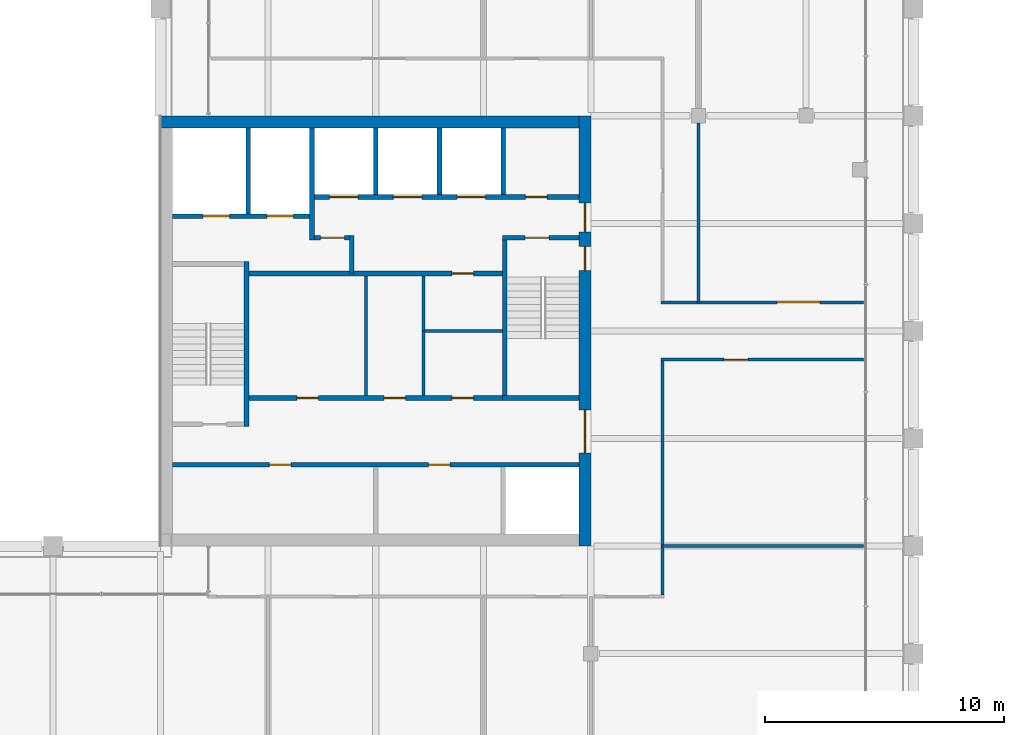
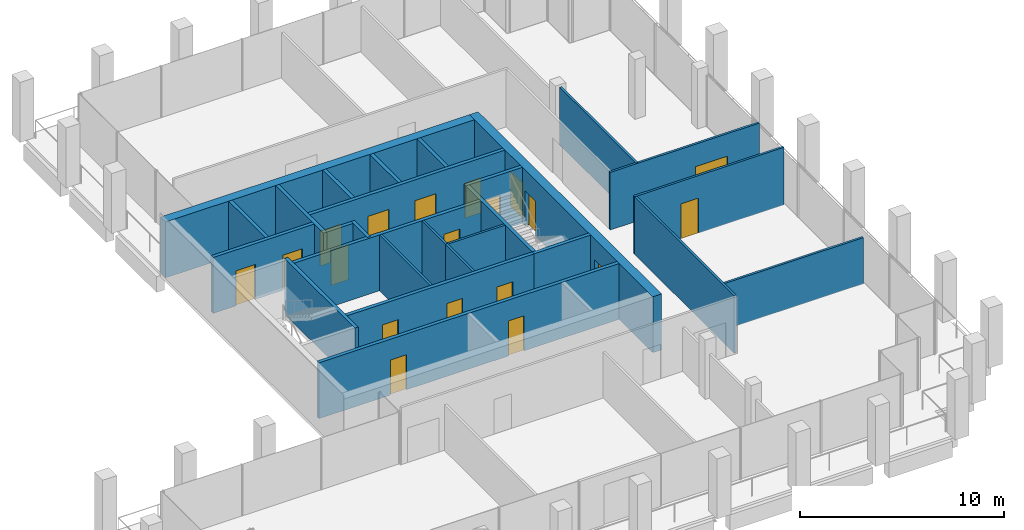
# One storey, part 36 of 40: 27 walls, 19 doors, 19 openings.
"""IFC4 building model written with IfcOpenShell, lengths in metres."""

import ifcopenshell
import ifcopenshell.guid

model = None  # the IFC model being written
_history = None  # IfcOwnerHistory: only IFC2X3 demands one
_inside = {}  # id of a spatial element -> (the spatial element, [elements in it])
_under = {}  # id of a project, library or spatial element -> (it, [spatial elements below it])
_declared = {}  # id of a project -> (the project, [libraries it declares])
_typed = {}  # id of a type object -> (the type object, [elements of that type])
_made_of = {}  # id of a material, layer set ... -> (it, [elements and type objects made of it])


def new_model(schema):
    """Start an empty IFC model of exactly this schema.

    Asked for "IFC4X3", IfcOpenShell would pick the latest addendum, in which some entities
    have other attributes; the version numbers below select the first issue.
    IFC2X3 requires an IfcOwnerHistory on every rooted entity: one is made here for all.
    """
    global model, _history
    if schema == "IFC4X3":
        model = ifcopenshell.file(schema_version=(4, 3, 0, 0))
    else:
        model = ifcopenshell.file(schema=schema)
    _inside.clear()
    _under.clear()
    _declared.clear()
    _typed.clear()
    _made_of.clear()
    _history = None
    if model.schema == "IFC2X3":
        org = make("IfcOrganization", Name="unknown")
        user = make(
            "IfcPersonAndOrganization",
            ThePerson=make("IfcPerson", FamilyName="unknown"),
            TheOrganization=org,
        )
        app = make(
            "IfcApplication",
            ApplicationDeveloper=org,
            Version="unknown",
            ApplicationFullName="unknown",
            ApplicationIdentifier="unknown",
        )
        _history = make(
            "IfcOwnerHistory",
            OwningUser=user,
            OwningApplication=app,
            ChangeAction="ADDED",
            CreationDate=0,
        )
    return model


def make(cls, **values):
    """One entity of the class cls with the attributes given. An attribute that is None is left unset."""
    return model.create_entity(
        cls, **{name: value for name, value in values.items() if value is not None}
    )


def rooted(cls, **values):
    """An entity with a GlobalId (a new one), such as an element, a storey or a relation."""
    return make(cls, GlobalId=ifcopenshell.guid.new(), OwnerHistory=_history, **values)


def si_unit(unit_type, name, prefix=None):
    """IfcSIUnit, for example si_unit("LENGTHUNIT", "METRE", prefix="MILLI")."""
    return make("IfcSIUnit", UnitType=unit_type, Prefix=prefix, Name=name)


def assignment(units):
    """IfcUnitAssignment: the units of a project."""
    return None if units is None else make("IfcUnitAssignment", Units=units)


def point(xyz):
    """IfcCartesianPoint."""
    return None if xyz is None else make("IfcCartesianPoint", Coordinates=xyz)


def direction(xyz):
    """IfcDirection."""
    return None if xyz is None else make("IfcDirection", DirectionRatios=xyz)


def frame(location, z_axis=None, x_axis=None):
    """IfcAxis2Placement3D, a coordinate frame: its origin and axes. An axis left out is left unset."""
    return make(
        "IfcAxis2Placement3D",
        Location=point(location),
        Axis=direction(z_axis),
        RefDirection=direction(x_axis),
    )


def frame_2d(location, x_axis=None):
    """IfcAxis2Placement2D, a coordinate frame in the plane: its origin and x axis."""
    return make(
        "IfcAxis2Placement2D", Location=point(location), RefDirection=direction(x_axis)
    )


def origin():
    """The frame at (0, 0, 0) with its axes left unset."""
    return frame((0.0, 0.0, 0.0))


def place(relative_to, where):
    """IfcLocalPlacement: puts the frame where relative to a parent placement (None: the world)."""
    return make(
        "IfcLocalPlacement", PlacementRelTo=relative_to, RelativePlacement=where
    )


def context(
    kind, dimensions, precision=None, world=None, true_north=None, identifier=None
):
    """IfcGeometricRepresentationContext, for example the 3D "Model" context."""
    return make(
        "IfcGeometricRepresentationContext",
        ContextIdentifier=identifier,
        ContextType=kind,
        CoordinateSpaceDimension=dimensions,
        Precision=precision,
        WorldCoordinateSystem=world,
        TrueNorth=true_north,
    )


def subcontext(parent, identifier, kind, view, scale=None):
    """IfcGeometricRepresentationSubContext, for example "Body" below "Model"."""
    return make(
        "IfcGeometricRepresentationSubContext",
        ContextIdentifier=identifier,
        ContextType=kind,
        ParentContext=parent,
        TargetScale=scale,
        TargetView=view,
    )


def project(units=None, contexts=None):
    """IfcProject with its units and contexts."""
    return rooted(
        "IfcProject",
        Name="project",
        RepresentationContexts=contexts,
        UnitsInContext=assignment(units),
    )


def spatial(cls, under=None, at=None, **own):
    """A site, building, storey or space (cls), placed at a placement, below another one or the project."""
    s = rooted(cls, ObjectPlacement=at, **own)
    if under is not None:
        _under.setdefault(under.id(), (under, []))[1].append(s)
    return s


def profile(cls, at=None, kind="AREA", **sizes):
    """A parametric profile (cls). Its sizes go by their IFC names, for example OverallWidth=200.0."""
    return make(cls, ProfileType=kind, Position=at, **sizes)


def rectangle(**sizes):
    """IfcRectangleProfileDef."""
    return profile("IfcRectangleProfileDef", **sizes)


def extrude(swept, where, along, depth):
    """IfcExtrudedAreaSolid: the profile swept, set in the frame where, extruded along a direction by depth."""
    return make(
        "IfcExtrudedAreaSolid",
        SweptArea=swept,
        Position=where,
        ExtrudedDirection=direction(along),
        Depth=depth,
    )


def shape(context_of_items, identifier, shape_type, items):
    """IfcShapeRepresentation: the items that make up one representation, for example the "Body"."""
    return make(
        "IfcShapeRepresentation",
        ContextOfItems=context_of_items,
        RepresentationIdentifier=identifier,
        RepresentationType=shape_type,
        Items=items,
    )


def material(Name=None, Category=None):
    """IfcMaterial."""
    return make("IfcMaterial", Name=Name, Category=Category)


def layer(
    of_material, thickness, ventilated=None, Name=None, Category=None, Priority=None
):
    """IfcMaterialLayer: one layer of a wall or slab, of a material (None: an air gap)."""
    return make(
        "IfcMaterialLayer",
        Material=of_material,
        LayerThickness=thickness,
        IsVentilated=ventilated,
        Name=Name,
        Category=Category,
        Priority=Priority,
    )


def layer_set(layers, Name=None):
    """IfcMaterialLayerSet."""
    return make("IfcMaterialLayerSet", MaterialLayers=layers, LayerSetName=Name)


def made_of(thing, what):
    """Note that an element or type object is made of a material, layer set ...; save() writes the relation."""
    if what is not None:
        _made_of.setdefault(what.id(), (what, []))[1].append(thing)
    return thing


def type_object(cls, material=None, **own):
    """A type object (cls), such as IfcWallType, which elements share."""
    return made_of(rooted(cls, **own), material)


def element(
    cls,
    number,
    at=None,
    inside=None,
    cuts=None,
    type_object=None,
    material=None,
    context=None,
    identifier="Body",
    shape_type=None,
    held_by="IfcProductDefinitionShape",
    body=None,
    shapes=None,
    **own,
):
    """One element of the class cls, such as IfcWall. Its Tag is "e" and its number.

    at: its placement. inside: the storey or other place that contains it. cuts: it is an
    opening in that element (IfcRelVoidsElement). A single representation is given by context,
    identifier, shape_type and body (its items); several are given by shapes. held_by: the class
    of the entity that holds the representations. save() writes the other relations.
    """
    e = rooted(cls, Tag="e%d" % number, ObjectPlacement=at, **own)
    if body is not None:
        shapes = [shape(context, identifier, shape_type, body)]
    if shapes is not None:
        e.Representation = make(held_by, Representations=shapes)
    if inside is not None:
        _inside.setdefault(inside.id(), (inside, []))[1].append(e)
    if cuts is not None:
        rooted(
            "IfcRelVoidsElement", RelatingBuildingElement=cuts, RelatedOpeningElement=e
        )
    if type_object is not None:
        _typed.setdefault(type_object.id(), (type_object, []))[1].append(e)
    return made_of(e, material)


def fill(opening, filler):
    """IfcRelFillsElement: the door or window that sits in an opening."""
    return rooted(
        "IfcRelFillsElement",
        RelatingOpeningElement=opening,
        RelatedBuildingElement=filler,
    )


def aggregate(whole, parts):
    """IfcRelAggregates: a whole, such as a stair, and the parts it consists of."""
    return rooted("IfcRelAggregates", RelatingObject=whole, RelatedObjects=parts)


def save(model, path):
    """Write the relations noted so far, then the file.

    IfcRelAggregates (storeys below a building ...), IfcRelContainedInSpatialStructure (elements
    in a storey), IfcRelDefinesByType, IfcRelAssociatesMaterial and IfcRelDeclares: one each for
    every whole, place, type object, material and project.
    """
    for whole, parts in _under.values():
        aggregate(whole, parts)
    for where, things in _inside.values():
        rooted(
            "IfcRelContainedInSpatialStructure",
            RelatedElements=things,
            RelatingStructure=where,
        )
    for kind, things in _typed.values():
        rooted("IfcRelDefinesByType", RelatedObjects=things, RelatingType=kind)
    for what, things in _made_of.values():
        rooted("IfcRelAssociatesMaterial", RelatedObjects=things, RelatingMaterial=what)
    for by, libraries in _declared.values():
        rooted("IfcRelDeclares", RelatingContext=by, RelatedDefinitions=libraries)
    model.write(path)


model = new_model("IFC4")

# Units and contexts
model_context = context("Model", 3, precision=1e-05, world=origin(), true_north=direction((0.0, 1.0)))
body_context = subcontext(model_context, "Body", "Model", "MODEL_VIEW")
ifc_project = project(units=[si_unit("LENGTHUNIT", "METRE"), si_unit("AREAUNIT", "SQUARE_METRE"), si_unit("VOLUMEUNIT", "CUBIC_METRE"), si_unit("PLANEANGLEUNIT", "RADIAN"), si_unit("MASSUNIT", "GRAM", prefix="KILO")], contexts=[model_context])

# Site, building, storey
site_placement = place(None, origin())
site = spatial("IfcSite", under=ifc_project, at=site_placement, CompositionType="ELEMENT")
building_placement = place(site_placement, origin())
building = spatial("IfcBuilding", under=site, at=building_placement, Name="Altepetl Exchange Towers", CompositionType="ELEMENT")
storey_placement = place(building_placement, frame((0.0, 0.0, 195.60009765625)))
storey = spatial("IfcBuildingStorey", under=building, at=storey_placement, Name="L49", CompositionType="ELEMENT", Elevation=195.60009765625)

# Wall, openings, doors
ifc_material_1 = material(Name="Concrete C70/85", Category="concrete")
ifc_layer_1 = layer(ifc_material_1, 0.5)
ifc_layer_set_1 = layer_set([ifc_layer_1], Name="Concrete C70/85")
wall_type_1 = type_object("IfcWallType", Name="Core wall 500 reinforced concrete", PredefinedType="SHEAR", material=ifc_layer_set_1)
wall_1_placement = place(storey_placement, frame((58.25, 40.5, 0.0), z_axis=(0.0, 0.0, 1.0), x_axis=(0.0, 1.0, 0.0)))
wall_1 = element("IfcWall", 1, at=wall_1_placement, inside=storey, type_object=wall_type_1, Name="wall:A:L49:K-coreE", PredefinedType="SHEAR", context=body_context, shape_type="SweptSolid", body=[
    extrude(rectangle(XDim=18.0, YDim=0.5, at=frame_2d((9.0, 0.0))), origin(), (0.0, 0.0, 1.0), 3.349853515625),
])
opening_1_placement = place(wall_1_placement, frame((13.14990234375, 0.0, 0.0)))
opening_1 = element("IfcOpeningElement", 2, at=opening_1_placement, cuts=wall_1, Name="Opening L49.A60", PredefinedType="OPENING", context=body_context, shape_type="SweptSolid", body=[
    extrude(rectangle(XDim=1.199951171875, YDim=2.10009765625, at=frame_2d((0.60009765625, 1.050048828125))), frame((0.0, 0.260009765625, 0.0), z_axis=(0.0, -1.0, 0.0), x_axis=(1.0, 0.0, 0.0)), (0.0, 0.0, 1.0), 0.52001953125),
])
opening_2_placement = place(wall_1_placement, frame((3.89990234375, 0.0, 0.0)))
opening_2 = element("IfcOpeningElement", 3, at=opening_2_placement, cuts=wall_1, Name="Opening L49.A61", PredefinedType="OPENING", context=body_context, shape_type="SweptSolid", body=[
    extrude(rectangle(XDim=1.800048828125, YDim=2.10009765625, at=frame_2d((0.89990234375, 1.050048828125))), frame((0.0, 0.260009765625, 0.0), z_axis=(0.0, -1.0, 0.0), x_axis=(1.0, 0.0, 0.0)), (0.0, 0.0, 1.0), 0.52001953125),
])
opening_3_placement = place(wall_1_placement, frame((11.52490234375, 0.0, 0.0)))
opening_3 = element("IfcOpeningElement", 4, at=opening_3_placement, cuts=wall_1, Name="Opening L49.A64", PredefinedType="OPENING", context=body_context, shape_type="SweptSolid", body=[
    extrude(rectangle(XDim=1.0, YDim=2.10009765625, at=frame_2d((0.5, 1.050048828125))), frame((0.0, 0.260009765625, 0.0), z_axis=(0.0, -1.0, 0.0), x_axis=(1.0, 0.0, 0.0)), (0.0, 0.0, 1.0), 0.52001953125),
])
ifc_material_2 = material(Name="Steel and timber fire door", Category="steel")
door_type_1 = type_object("IfcDoorType", Name="Fire door 1000 x 2100 stair and lobby", OperationType="SINGLE_SWING_LEFT", PredefinedType="DOOR", material=ifc_material_2)
door_1_placement = place(opening_3_placement, origin())
door_1 = element("IfcDoor", 5, at=door_1_placement, inside=storey, type_object=door_type_1, Name="door:A:L49:K-dS2x", OperationType="SINGLE_SWING_RIGHT", OverallHeight=2.10009765625, OverallWidth=1.0, PredefinedType="DOOR", context=body_context, shape_type="SweptSolid", body=[
    extrude(rectangle(XDim=1.0, YDim=2.10009765625, at=frame_2d((0.5, 1.050048828125))), frame((0.0, 0.02490234375, 0.0), z_axis=(0.0, -1.0, 0.0), x_axis=(1.0, 0.0, 0.0)), (0.0, 0.0, 1.0), 0.050048828125),
])
fill(opening_3, door_1)
door_type_2 = type_object("IfcDoorType", Name="Fire door 1200 x 2100 lobby entry", OperationType="SINGLE_SWING_LEFT", PredefinedType="DOOR", material=ifc_material_2)
door_2_placement = place(opening_1_placement, origin())
door_2 = element("IfcDoor", 6, at=door_2_placement, inside=storey, type_object=door_type_2, Name="door:A:L49:K-dLNE", OperationType="SINGLE_SWING_RIGHT", OverallHeight=2.10009765625, OverallWidth=1.199951171875, PredefinedType="DOOR", context=body_context, shape_type="SweptSolid", body=[
    extrude(rectangle(XDim=1.199951171875, YDim=2.10009765625, at=frame_2d((0.60009765625, 1.050048828125))), frame((0.0, 0.02490234375, 0.0), z_axis=(0.0, -1.0, 0.0), x_axis=(1.0, 0.0, 0.0)), (0.0, 0.0, 1.0), 0.050048828125),
])
fill(opening_1, door_2)
door_type_3 = type_object("IfcDoorType", Name="Fire door 1800 x 2100 lobby entry", OperationType="DOUBLE_DOOR_SINGLE_SWING", PredefinedType="DOOR", material=ifc_material_2)
door_3_placement = place(opening_2_placement, origin())
door_3 = element("IfcDoor", 7, at=door_3_placement, inside=storey, type_object=door_type_3, Name="door:A:L49:K-dLSE", OperationType="DOUBLE_DOOR_SINGLE_SWING", OverallHeight=2.10009765625, OverallWidth=1.800048828125, PredefinedType="DOOR", context=body_context, shape_type="SweptSolid", body=[
    extrude(rectangle(XDim=1.800048828125, YDim=2.10009765625, at=frame_2d((0.89990234375, 1.050048828125))), frame((0.0, 0.02490234375, 0.0), z_axis=(0.0, -1.0, 0.0), x_axis=(1.0, 0.0, 0.0)), (0.0, 0.0, 1.0), 0.050048828125),
])
fill(opening_2, door_3)

# Walls
wall_2_placement = place(storey_placement, frame((40.5, 58.25, 0.0)))
element("IfcWall", 8, at=wall_2_placement, inside=storey, type_object=wall_type_1, Name="wall:A:L49:K-coreN", PredefinedType="SHEAR", context=body_context, shape_type="SweptSolid", body=[
    extrude(rectangle(XDim=17.5, YDim=0.5, at=frame_2d((8.75, 0.0))), origin(), (0.0, 0.0, 1.0), 3.349853515625),
])
ifc_material_3 = material(Name="Concrete blockwork", Category="masonry")
ifc_layer_2 = layer(ifc_material_3, 0.199951171875)
ifc_layer_set_2 = layer_set([ifc_layer_2], Name="Concrete blockwork")
wall_type_2 = type_object("IfcWallType", Name="Lobby wall 200 blockwork", PredefinedType="PARTITIONING", material=ifc_layer_set_2)
wall_3_placement = place(storey_placement, frame((48.5, 51.89990234375, 0.0), z_axis=(0.0, 0.0, 1.0), x_axis=(0.0, 1.0, 0.0)))
element("IfcWall", 9, at=wall_3_placement, inside=storey, type_object=wall_type_2, Name="wall:A:L49:K-ffE", PredefinedType="PARTITIONING", context=body_context, shape_type="SweptSolid", body=[
    extrude(rectangle(XDim=1.60009765625, YDim=0.199951171875, at=frame_2d((0.800048828125, 0.0))), origin(), (0.0, 0.0, 1.0), 3.349853515625),
])

# Wall, opening, door
wall_4_placement = place(storey_placement, frame((46.933349609375, 53.39990234375, 0.0)))
wall_4 = element("IfcWall", 10, at=wall_4_placement, inside=storey, type_object=wall_type_2, Name="wall:A:L49:K-ffN", PredefinedType="PARTITIONING", context=body_context, shape_type="SweptSolid", body=[
    extrude(rectangle(XDim=1.466552734375, YDim=0.199951171875, at=frame_2d((0.7333984375, 0.0))), origin(), (0.0, 0.0, 1.0), 3.349853515625),
])
opening_4_placement = place(wall_4_placement, frame((0.2666015625, 0.0, 0.0)))
opening_4 = element("IfcOpeningElement", 11, at=opening_4_placement, cuts=wall_4, Name="Opening L49.A65", PredefinedType="OPENING", context=body_context, shape_type="SweptSolid", body=[
    extrude(rectangle(XDim=1.0, YDim=2.10009765625, at=frame_2d((0.5, 1.050048828125))), frame((0.0, 0.10986328125, 0.0), z_axis=(0.0, -1.0, 0.0), x_axis=(1.0, 0.0, 0.0)), (0.0, 0.0, 1.0), 0.219970703125),
])
door_4_placement = place(opening_4_placement, frame((1.0, 0.0, 0.0), x_axis=(-1.0, 0.0, 0.0)))
door_4 = element("IfcDoor", 12, at=door_4_placement, inside=storey, type_object=door_type_1, Name="door:A:L49:K-dffN", OperationType="SINGLE_SWING_RIGHT", OverallHeight=2.10009765625, OverallWidth=1.0, PredefinedType="DOOR", context=body_context, shape_type="SweptSolid", body=[
    extrude(rectangle(XDim=1.0, YDim=2.10009765625, at=frame_2d((0.5, 1.050048828125))), frame((0.0, 0.02490234375, 0.0), z_axis=(0.0, -1.0, 0.0), x_axis=(1.0, 0.0, 0.0)), (0.0, 0.0, 1.0), 0.050048828125),
])
fill(opening_4, door_4)

wall_5_placement = place(storey_placement, frame((44.199951171875, 51.89990234375, 0.0)))
wall_5 = element("IfcWall", 13, at=wall_5_placement, inside=storey, type_object=wall_type_2, Name="wall:A:L49:K-zoneN", PredefinedType="PARTITIONING", context=body_context, shape_type="SweptSolid", body=[
    extrude(rectangle(XDim=10.60009765625, YDim=0.199951171875, at=frame_2d((5.300048828125, 0.0))), origin(), (0.0, 0.0, 1.0), 3.349853515625),
])
opening_5_placement = place(wall_5_placement, frame((8.5, 0.0, 0.0)))
opening_5 = element("IfcOpeningElement", 14, at=opening_5_placement, cuts=wall_5, Name="Opening L49.A71", PredefinedType="OPENING", context=body_context, shape_type="SweptSolid", body=[
    extrude(rectangle(XDim=0.89990234375, YDim=2.10009765625, at=frame_2d((0.449951171875, 1.050048828125))), frame((0.0, 0.10986328125, 0.0), z_axis=(0.0, -1.0, 0.0), x_axis=(1.0, 0.0, 0.0)), (0.0, 0.0, 1.0), 0.219970703125),
])
door_type_4 = type_object("IfcDoorType", Name="Fire door 900 x 2100 service room", OperationType="SINGLE_SWING_LEFT", PredefinedType="DOOR", material=ifc_material_2)
door_5_placement = place(opening_5_placement, frame((0.89990234375, 0.0, 0.0), x_axis=(-1.0, 0.0, 0.0)))
door_5 = element("IfcDoor", 15, at=door_5_placement, inside=storey, type_object=door_type_4, Name="door:A:L49:K-dz3", OperationType="SINGLE_SWING_LEFT", OverallHeight=2.10009765625, OverallWidth=0.89990234375, PredefinedType="DOOR", context=body_context, shape_type="SweptSolid", body=[
    extrude(rectangle(XDim=0.89990234375, YDim=2.10009765625, at=frame_2d((0.449951171875, 1.050048828125))), frame((0.0, 0.02490234375, 0.0), z_axis=(0.0, -1.0, 0.0), x_axis=(1.0, 0.0, 0.0)), (0.0, 0.0, 1.0), 0.050048828125),
])
fill(opening_5, door_5)

# Wall, openings, doors
wall_6_placement = place(storey_placement, frame((44.199951171875, 46.699951171875, 0.0)))
wall_6 = element("IfcWall", 16, at=wall_6_placement, inside=storey, type_object=wall_type_2, Name="wall:A:L49:K-zoneS", PredefinedType="PARTITIONING", context=body_context, shape_type="SweptSolid", body=[
    extrude(rectangle(XDim=10.60009765625, YDim=0.199951171875, at=frame_2d((5.300048828125, 0.0))), origin(), (0.0, 0.0, 1.0), 3.349853515625),
])
opening_6_placement = place(wall_6_placement, frame((2.0, 0.0, 0.0)))
opening_6 = element("IfcOpeningElement", 17, at=opening_6_placement, cuts=wall_6, Name="Opening L49.A69", PredefinedType="OPENING", context=body_context, shape_type="SweptSolid", body=[
    extrude(rectangle(XDim=0.89990234375, YDim=2.10009765625, at=frame_2d((0.449951171875, 1.050048828125))), frame((0.0, 0.10986328125, 0.0), z_axis=(0.0, -1.0, 0.0), x_axis=(1.0, 0.0, 0.0)), (0.0, 0.0, 1.0), 0.219970703125),
])
opening_7_placement = place(wall_6_placement, frame((5.64990234375, 0.0, 0.0)))
opening_7 = element("IfcOpeningElement", 18, at=opening_7_placement, cuts=wall_6, Name="Opening L49.A70", PredefinedType="OPENING", context=body_context, shape_type="SweptSolid", body=[
    extrude(rectangle(XDim=0.89990234375, YDim=2.10009765625, at=frame_2d((0.449951171875, 1.050048828125))), frame((0.0, 0.10986328125, 0.0), z_axis=(0.0, -1.0, 0.0), x_axis=(1.0, 0.0, 0.0)), (0.0, 0.0, 1.0), 0.219970703125),
])
opening_8_placement = place(wall_6_placement, frame((8.5, 0.0, 0.0)))
opening_8 = element("IfcOpeningElement", 19, at=opening_8_placement, cuts=wall_6, Name="Opening L49.A72", PredefinedType="OPENING", context=body_context, shape_type="SweptSolid", body=[
    extrude(rectangle(XDim=0.89990234375, YDim=2.10009765625, at=frame_2d((0.449951171875, 1.050048828125))), frame((0.0, 0.10986328125, 0.0), z_axis=(0.0, -1.0, 0.0), x_axis=(1.0, 0.0, 0.0)), (0.0, 0.0, 1.0), 0.219970703125),
])
door_6_placement = place(opening_6_placement, origin())
door_6 = element("IfcDoor", 20, at=door_6_placement, inside=storey, type_object=door_type_4, Name="door:A:L49:K-dz1", OperationType="SINGLE_SWING_LEFT", OverallHeight=2.10009765625, OverallWidth=0.89990234375, PredefinedType="DOOR", context=body_context, shape_type="SweptSolid", body=[
    extrude(rectangle(XDim=0.89990234375, YDim=2.10009765625, at=frame_2d((0.449951171875, 1.050048828125))), frame((0.0, 0.02490234375, 0.0), z_axis=(0.0, -1.0, 0.0), x_axis=(1.0, 0.0, 0.0)), (0.0, 0.0, 1.0), 0.050048828125),
])
fill(opening_6, door_6)
door_7_placement = place(opening_7_placement, origin())
door_7 = element("IfcDoor", 21, at=door_7_placement, inside=storey, type_object=door_type_4, Name="door:A:L49:K-dz2", OperationType="SINGLE_SWING_RIGHT", OverallHeight=2.10009765625, OverallWidth=0.89990234375, PredefinedType="DOOR", context=body_context, shape_type="SweptSolid", body=[
    extrude(rectangle(XDim=0.89990234375, YDim=2.10009765625, at=frame_2d((0.449951171875, 1.050048828125))), frame((0.0, 0.02490234375, 0.0), z_axis=(0.0, -1.0, 0.0), x_axis=(1.0, 0.0, 0.0)), (0.0, 0.0, 1.0), 0.050048828125),
])
fill(opening_7, door_7)
door_8_placement = place(opening_8_placement, origin())
door_8 = element("IfcDoor", 22, at=door_8_placement, inside=storey, type_object=door_type_4, Name="door:A:L49:K-dz4", OperationType="SINGLE_SWING_RIGHT", OverallHeight=2.10009765625, OverallWidth=0.89990234375, PredefinedType="DOOR", context=body_context, shape_type="SweptSolid", body=[
    extrude(rectangle(XDim=0.89990234375, YDim=2.10009765625, at=frame_2d((0.449951171875, 1.050048828125))), frame((0.0, 0.02490234375, 0.0), z_axis=(0.0, -1.0, 0.0), x_axis=(1.0, 0.0, 0.0)), (0.0, 0.0, 1.0), 0.050048828125),
])
fill(opening_8, door_8)

# Walls
ifc_material_4 = material(Name="Gypsum board on steel studs", Category="steel")
ifc_layer_3 = layer(ifc_material_4, 0.125)
ifc_layer_set_3 = layer_set([ifc_layer_3], Name="Gypsum board on steel studs")
wall_type_3 = type_object("IfcWallType", Name="Partition 125 gypsum board on steel studs", PredefinedType="PARTITIONING", material=ifc_layer_set_3)
wall_7_placement = place(storey_placement, frame((49.10009765625, 46.800048828125, 0.0), z_axis=(0.0, 0.0, 1.0), x_axis=(0.0, 1.0, 0.0)))
element("IfcWall", 23, at=wall_7_placement, inside=storey, type_object=wall_type_3, Name="wall:A:L49:K-zp1", PredefinedType="PARTITIONING", context=body_context, shape_type="SweptSolid", body=[
    extrude(rectangle(XDim=5.0, YDim=0.125, at=frame_2d((2.5, 0.0))), origin(), (0.0, 0.0, 1.0), 3.349853515625),
])
wall_8_placement = place(storey_placement, frame((51.5, 46.800048828125, 0.0), z_axis=(0.0, 0.0, 1.0), x_axis=(0.0, 1.0, 0.0)))
element("IfcWall", 24, at=wall_8_placement, inside=storey, type_object=wall_type_3, Name="wall:A:L49:K-zp2", PredefinedType="PARTITIONING", context=body_context, shape_type="SweptSolid", body=[
    extrude(rectangle(XDim=2.762451171875, YDim=0.125, at=frame_2d((1.38134765625, 0.0))), origin(), (0.0, 0.0, 1.0), 3.349853515625),
])
wall_9_placement = place(storey_placement, frame((51.5625, 49.5, 0.0)))
element("IfcWall", 25, at=wall_9_placement, inside=storey, type_object=wall_type_3, Name="wall:A:L49:K-zp3", PredefinedType="PARTITIONING", context=body_context, shape_type="SweptSolid", body=[
    extrude(rectangle(XDim=3.237548828125, YDim=0.125, at=frame_2d((1.61865234375, 0.0))), origin(), (0.0, 0.0, 1.0), 3.349853515625),
])
wall_10_placement = place(storey_placement, frame((51.5, 49.5, 0.0), z_axis=(0.0, 0.0, 1.0), x_axis=(0.0, 1.0, 0.0)))
element("IfcWall", 26, at=wall_10_placement, inside=storey, type_object=wall_type_3, Name="wall:A:L49:K-zp4", PredefinedType="PARTITIONING", context=body_context, shape_type="SweptSolid", body=[
    extrude(rectangle(XDim=2.300048828125, YDim=0.125, at=frame_2d((1.14990234375, 0.0))), origin(), (0.0, 0.0, 1.0), 3.349853515625),
])
wall_11_placement = place(storey_placement, frame((61.5, 40.5, 0.0)))
element("IfcWall", 27, at=wall_11_placement, inside=storey, type_object=wall_type_3, Name="wall:A:L49:P02", PredefinedType="PARTITIONING", context=body_context, shape_type="SweptSolid", body=[
    extrude(rectangle(XDim=8.39990234375, YDim=0.125, at=frame_2d((4.199951171875, 0.0))), origin(), (0.0, 0.0, 1.0), 2.77197265625),
])

# Wall, opening, door
wall_12_placement = place(storey_placement, frame((61.4375, 48.300048828125, 0.0)))
wall_12 = element("IfcWall", 28, at=wall_12_placement, inside=storey, type_object=wall_type_3, Name="wall:A:L49:P03", PredefinedType="PARTITIONING", context=body_context, shape_type="SweptSolid", body=[
    extrude(rectangle(XDim=8.46240234375, YDim=0.125, at=frame_2d((4.231201171875, 0.0))), origin(), (0.0, 0.0, 1.0), 3.449951171875),
])
opening_9_placement = place(wall_12_placement, frame((2.62451171875, 0.0, 0.0)))
opening_9 = element("IfcOpeningElement", 29, at=opening_9_placement, cuts=wall_12, Name="Opening L49.A05", PredefinedType="OPENING", context=body_context, shape_type="SweptSolid", body=[
    extrude(rectangle(XDim=1.0, YDim=2.10009765625, at=frame_2d((0.5, 1.050048828125))), frame((0.0, 0.072509765625, 0.0), z_axis=(0.0, -1.0, 0.0), x_axis=(1.0, 0.0, 0.0)), (0.0, 0.0, 1.0), 0.14501953125),
])
door_type_5 = type_object("IfcDoorType", Name="Fire door 1000 x 2100 single leaf", OperationType="SINGLE_SWING_LEFT", PredefinedType="DOOR", material=ifc_material_2)
door_9_placement = place(opening_9_placement, frame((1.0, 0.0, 0.0), x_axis=(-1.0, 0.0, 0.0)))
door_9 = element("IfcDoor", 30, at=door_9_placement, inside=storey, type_object=door_type_5, Name="door:A:L49:05", OperationType="SINGLE_SWING_LEFT", OverallHeight=2.10009765625, OverallWidth=1.0, PredefinedType="DOOR", context=body_context, shape_type="SweptSolid", body=[
    extrude(rectangle(XDim=1.0, YDim=2.10009765625, at=frame_2d((0.5, 1.050048828125))), frame((0.0, 0.02490234375, 0.0), z_axis=(0.0, -1.0, 0.0), x_axis=(1.0, 0.0, 0.0)), (0.0, 0.0, 1.0), 0.050048828125),
])
fill(opening_9, door_9)

wall_13_placement = place(storey_placement, frame((61.4375, 50.699951171875, 0.0)))
wall_13 = element("IfcWall", 31, at=wall_13_placement, inside=storey, type_object=wall_type_3, Name="wall:A:L49:P04", PredefinedType="PARTITIONING", context=body_context, shape_type="SweptSolid", body=[
    extrude(rectangle(XDim=8.46240234375, YDim=0.125, at=frame_2d((4.231201171875, 0.0))), origin(), (0.0, 0.0, 1.0), 3.449951171875),
])
opening_10_placement = place(wall_13_placement, frame((4.847412109375, 0.0, 0.0)))
opening_10 = element("IfcOpeningElement", 32, at=opening_10_placement, cuts=wall_13, Name="Opening L49.A06", PredefinedType="OPENING", context=body_context, shape_type="SweptSolid", body=[
    extrude(rectangle(XDim=1.800048828125, YDim=2.10009765625, at=frame_2d((0.89990234375, 1.050048828125))), frame((0.0, 0.072509765625, 0.0), z_axis=(0.0, -1.0, 0.0), x_axis=(1.0, 0.0, 0.0)), (0.0, 0.0, 1.0), 0.14501953125),
])
door_type_6 = type_object("IfcDoorType", Name="Fire door 1800 x 2100 double leaf", OperationType="DOUBLE_DOOR_SINGLE_SWING", PredefinedType="DOOR", material=ifc_material_2)
door_10_placement = place(opening_10_placement, origin())
door_10 = element("IfcDoor", 33, at=door_10_placement, inside=storey, type_object=door_type_6, Name="door:A:L49:06", OperationType="DOUBLE_DOOR_SINGLE_SWING", OverallHeight=2.10009765625, OverallWidth=1.800048828125, PredefinedType="DOOR", context=body_context, shape_type="SweptSolid", body=[
    extrude(rectangle(XDim=1.800048828125, YDim=2.10009765625, at=frame_2d((0.89990234375, 1.050048828125))), frame((0.0, 0.02490234375, 0.0), z_axis=(0.0, -1.0, 0.0), x_axis=(1.0, 0.0, 0.0)), (0.0, 0.0, 1.0), 0.050048828125),
])
fill(opening_10, door_10)

# Walls
wall_14_placement = place(storey_placement, frame((61.5, 38.46240234375, 0.0), z_axis=(0.0, 0.0, 1.0), x_axis=(0.0, 1.0, 0.0)))
element("IfcWall", 34, at=wall_14_placement, inside=storey, type_object=wall_type_3, Name="wall:A:L49:P13", PredefinedType="PARTITIONING", context=body_context, shape_type="SweptSolid", body=[
    extrude(rectangle(XDim=9.775146484375, YDim=0.125, at=frame_2d((4.8876953125, 0.0))), origin(), (0.0, 0.0, 1.0), 3.449951171875),
])
wall_15_placement = place(storey_placement, frame((63.0, 50.699951171875, 0.0), z_axis=(0.0, 0.0, 1.0), x_axis=(0.0, 1.0, 0.0)))
element("IfcWall", 35, at=wall_15_placement, inside=storey, type_object=wall_type_3, Name="wall:A:L49:P15", PredefinedType="PARTITIONING", context=body_context, shape_type="SweptSolid", body=[
    extrude(rectangle(XDim=7.5, YDim=0.125, at=frame_2d((3.75, 0.0))), origin(), (0.0, 0.0, 1.0), 3.449951171875),
])
ifc_material_5 = material(Name="Concrete C40/50", Category="concrete")
ifc_layer_4 = layer(ifc_material_5, 0.199951171875)
ifc_layer_set_4 = layer_set([ifc_layer_4], Name="Concrete C40/50")
wall_type_4 = type_object("IfcWallType", Name="Shaft wall 200 reinforced concrete", PredefinedType="SHEAR", material=ifc_layer_set_4)
wall_16_placement = place(storey_placement, frame((44.166748046875, 58.0, 0.0), z_axis=(0.0, 0.0, 1.0), x_axis=(0.0, -1.0, 0.0)))
element("IfcWall", 36, at=wall_16_placement, inside=storey, type_object=wall_type_4, Name="wall:A:L49:K-divN1", PredefinedType="SHEAR", context=body_context, shape_type="SweptSolid", body=[
    extrude(rectangle(XDim=3.60009765625, YDim=0.199951171875, at=frame_2d((1.800048828125, 0.0))), origin(), (0.0, 0.0, 1.0), 3.349853515625),
])
wall_17_placement = place(storey_placement, frame((46.833251953125, 58.0, 0.0), z_axis=(0.0, 0.0, 1.0), x_axis=(0.0, -1.0, 0.0)))
element("IfcWall", 37, at=wall_17_placement, inside=storey, type_object=wall_type_4, Name="wall:A:L49:K-divN2", PredefinedType="SHEAR", context=body_context, shape_type="SweptSolid", body=[
    extrude(rectangle(XDim=4.699951171875, YDim=0.199951171875, at=frame_2d((2.35009765625, 0.0))), origin(), (0.0, 0.0, 1.0), 3.349853515625),
])
for number, where, z_axis, x_axis, name in (
    (38, (49.5, 58.0, 0.0), (0.0, 0.0, 1.0), (0.0, -1.0, 0.0), "wall:A:L49:K-divN3"),
    (39, (52.166748046875, 58.0, 0.0), (0.0, 0.0, 1.0), (0.0, -1.0, 0.0), "wall:A:L49:K-divN4"),
    (40, (54.833251953125, 58.0, 0.0), (0.0, 0.0, 1.0), (0.0, -1.0, 0.0), "wall:A:L49:K-divN5"),
):
    element("IfcWall", number, at=place(storey_placement, frame(where, z_axis=z_axis, x_axis=x_axis)), inside=storey, type_object=wall_type_4, Name=name, PredefinedType="SHEAR", context=body_context, shape_type="SweptSolid", body=[
        extrude(rectangle(XDim=2.800048828125, YDim=0.199951171875, at=frame_2d((1.39990234375, 0.0))), origin(), (0.0, 0.0, 1.0), 3.349853515625),
    ])

# Wall, openings, doors
wall_18_placement = place(storey_placement, frame((46.933349609375, 55.10009765625, 0.0)))
wall_18 = element("IfcWall", 41, at=wall_18_placement, inside=storey, type_object=wall_type_4, Name="wall:A:L49:K-frontNb", PredefinedType="SHEAR", context=body_context, shape_type="SweptSolid", body=[
    extrude(rectangle(XDim=11.066650390625, YDim=0.199951171875, at=frame_2d((5.533203125, 0.0))), origin(), (0.0, 0.0, 1.0), 3.349853515625),
])
opening_11_placement = place(wall_18_placement, frame((8.83349609375, 0.0, 0.0)))
opening_11 = element("IfcOpeningElement", 42, at=opening_11_placement, cuts=wall_18, Name="Opening L49.A66", PredefinedType="OPENING", context=body_context, shape_type="SweptSolid", body=[
    extrude(rectangle(XDim=0.89990234375, YDim=2.10009765625, at=frame_2d((0.449951171875, 1.050048828125))), frame((0.0, 0.10986328125, 0.0), z_axis=(0.0, -1.0, 0.0), x_axis=(1.0, 0.0, 0.0)), (0.0, 0.0, 1.0), 0.219970703125),
])
opening_12_placement = place(wall_18_placement, frame((0.63330078125, 0.0, 0.0)))
opening_12 = element("IfcOpeningElement", 43, at=opening_12_placement, cuts=wall_18, Name="Opening L49.A75", PredefinedType="OPENING", context=body_context, shape_type="SweptSolid", body=[
    extrude(rectangle(XDim=1.199951171875, YDim=2.10009765625, at=frame_2d((0.60009765625, 1.050048828125))), frame((0.0, 0.10986328125, 0.0), z_axis=(0.0, -1.0, 0.0), x_axis=(1.0, 0.0, 0.0)), (0.0, 0.0, 1.0), 0.219970703125),
])
opening_13_placement = place(wall_18_placement, frame((3.300048828125, 0.0, 0.0)))
opening_13 = element("IfcOpeningElement", 44, at=opening_13_placement, cuts=wall_18, Name="Opening L49.A76", PredefinedType="OPENING", context=body_context, shape_type="SweptSolid", body=[
    extrude(rectangle(XDim=1.199951171875, YDim=2.10009765625, at=frame_2d((0.60009765625, 1.050048828125))), frame((0.0, 0.10986328125, 0.0), z_axis=(0.0, -1.0, 0.0), x_axis=(1.0, 0.0, 0.0)), (0.0, 0.0, 1.0), 0.219970703125),
])
opening_14_placement = place(wall_18_placement, frame((5.966796875, 0.0, 0.0)))
opening_14 = element("IfcOpeningElement", 45, at=opening_14_placement, cuts=wall_18, Name="Opening L49.A77", PredefinedType="OPENING", context=body_context, shape_type="SweptSolid", body=[
    extrude(rectangle(XDim=1.199951171875, YDim=2.10009765625, at=frame_2d((0.60009765625, 1.050048828125))), frame((0.0, 0.10986328125, 0.0), z_axis=(0.0, -1.0, 0.0), x_axis=(1.0, 0.0, 0.0)), (0.0, 0.0, 1.0), 0.219970703125),
])
door_11_placement = place(opening_11_placement, origin())
door_11 = element("IfcDoor", 46, at=door_11_placement, inside=storey, type_object=door_type_4, Name="door:A:L49:K-driser", OperationType="SINGLE_SWING_RIGHT", OverallHeight=2.10009765625, OverallWidth=0.89990234375, PredefinedType="DOOR", context=body_context, shape_type="SweptSolid", body=[
    extrude(rectangle(XDim=0.89990234375, YDim=2.10009765625, at=frame_2d((0.449951171875, 1.050048828125))), frame((0.0, 0.02490234375, 0.0), z_axis=(0.0, -1.0, 0.0), x_axis=(1.0, 0.0, 0.0)), (0.0, 0.0, 1.0), 0.050048828125),
])
fill(opening_11, door_11)
ifc_material_6 = material(Name="Stainless steel", Category="steel")
door_type_7 = type_object("IfcDoorType", Name="Lift landing door 1200 x 2100", OperationType="SLIDING_TO_LEFT", PredefinedType="DOOR", material=ifc_material_6)
door_12_placement = place(opening_12_placement, origin())
door_12 = element("IfcDoor", 47, at=door_12_placement, inside=storey, type_object=door_type_7, Name="Landing door P5", OperationType="SLIDING_TO_LEFT", OverallHeight=2.10009765625, OverallWidth=1.199951171875, PredefinedType="DOOR", context=body_context, shape_type="SweptSolid", body=[
    extrude(rectangle(XDim=1.199951171875, YDim=2.10009765625, at=frame_2d((0.60009765625, 1.050048828125))), frame((0.0, 0.02490234375, 0.0), z_axis=(0.0, -1.0, 0.0), x_axis=(1.0, 0.0, 0.0)), (0.0, 0.0, 1.0), 0.050048828125),
])
fill(opening_12, door_12)
door_13_placement = place(opening_13_placement, origin())
door_13 = element("IfcDoor", 48, at=door_13_placement, inside=storey, type_object=door_type_7, Name="Landing door P6", OperationType="SLIDING_TO_LEFT", OverallHeight=2.10009765625, OverallWidth=1.199951171875, PredefinedType="DOOR", context=body_context, shape_type="SweptSolid", body=[
    extrude(rectangle(XDim=1.199951171875, YDim=2.10009765625, at=frame_2d((0.60009765625, 1.050048828125))), frame((0.0, 0.02490234375, 0.0), z_axis=(0.0, -1.0, 0.0), x_axis=(1.0, 0.0, 0.0)), (0.0, 0.0, 1.0), 0.050048828125),
])
fill(opening_13, door_13)
door_14_placement = place(opening_14_placement, origin())
door_14 = element("IfcDoor", 49, at=door_14_placement, inside=storey, type_object=door_type_7, Name="Landing door P7", OperationType="SLIDING_TO_LEFT", OverallHeight=2.10009765625, OverallWidth=1.199951171875, PredefinedType="DOOR", context=body_context, shape_type="SweptSolid", body=[
    extrude(rectangle(XDim=1.199951171875, YDim=2.10009765625, at=frame_2d((0.60009765625, 1.050048828125))), frame((0.0, 0.02490234375, 0.0), z_axis=(0.0, -1.0, 0.0), x_axis=(1.0, 0.0, 0.0)), (0.0, 0.0, 1.0), 0.050048828125),
])
fill(opening_14, door_14)

wall_19_placement = place(storey_placement, frame((41.0, 54.300048828125, 0.0)))
wall_19 = element("IfcWall", 50, at=wall_19_placement, inside=storey, type_object=wall_type_4, Name="wall:A:L49:K-frontNd", PredefinedType="SHEAR", context=body_context, shape_type="SweptSolid", body=[
    extrude(rectangle(XDim=5.7333984375, YDim=0.199951171875, at=frame_2d((2.86669921875, 0.0))), origin(), (0.0, 0.0, 1.0), 3.349853515625),
])
opening_15_placement = place(wall_19_placement, frame((1.283203125, 0.0, 0.0)))
opening_15 = element("IfcOpeningElement", 51, at=opening_15_placement, cuts=wall_19, Name="Opening L49.A73", PredefinedType="OPENING", context=body_context, shape_type="SweptSolid", body=[
    extrude(rectangle(XDim=1.10009765625, YDim=2.10009765625, at=frame_2d((0.550048828125, 1.050048828125))), frame((0.0, 0.10986328125, 0.0), z_axis=(0.0, -1.0, 0.0), x_axis=(1.0, 0.0, 0.0)), (0.0, 0.0, 1.0), 0.219970703125),
])
opening_16_placement = place(wall_19_placement, frame((3.949951171875, 0.0, 0.0)))
opening_16 = element("IfcOpeningElement", 52, at=opening_16_placement, cuts=wall_19, Name="Opening L49.A74", PredefinedType="OPENING", context=body_context, shape_type="SweptSolid", body=[
    extrude(rectangle(XDim=1.10009765625, YDim=2.10009765625, at=frame_2d((0.550048828125, 1.050048828125))), frame((0.0, 0.10986328125, 0.0), z_axis=(0.0, -1.0, 0.0), x_axis=(1.0, 0.0, 0.0)), (0.0, 0.0, 1.0), 0.219970703125),
])
door_type_8 = type_object("IfcDoorType", Name="Lift landing door 1100 x 2100", OperationType="SLIDING_TO_LEFT", PredefinedType="DOOR", material=ifc_material_6)
door_15_placement = place(opening_15_placement, origin())
door_15 = element("IfcDoor", 53, at=door_15_placement, inside=storey, type_object=door_type_8, Name="Landing door FFL1", OperationType="SLIDING_TO_LEFT", OverallHeight=2.10009765625, OverallWidth=1.10009765625, PredefinedType="DOOR", context=body_context, shape_type="SweptSolid", body=[
    extrude(rectangle(XDim=1.10009765625, YDim=2.10009765625, at=frame_2d((0.550048828125, 1.050048828125))), frame((0.0, 0.02490234375, 0.0), z_axis=(0.0, -1.0, 0.0), x_axis=(1.0, 0.0, 0.0)), (0.0, 0.0, 1.0), 0.050048828125),
])
fill(opening_15, door_15)
door_16_placement = place(opening_16_placement, origin())
door_16 = element("IfcDoor", 54, at=door_16_placement, inside=storey, type_object=door_type_8, Name="Landing door FFL2", OperationType="SLIDING_TO_LEFT", OverallHeight=2.10009765625, OverallWidth=1.10009765625, PredefinedType="DOOR", context=body_context, shape_type="SweptSolid", body=[
    extrude(rectangle(XDim=1.10009765625, YDim=2.10009765625, at=frame_2d((0.550048828125, 1.050048828125))), frame((0.0, 0.02490234375, 0.0), z_axis=(0.0, -1.0, 0.0), x_axis=(1.0, 0.0, 0.0)), (0.0, 0.0, 1.0), 0.050048828125),
])
fill(opening_16, door_16)

wall_20_placement = place(storey_placement, frame((41.0, 43.89990234375, 0.0)))
wall_20 = element("IfcWall", 55, at=wall_20_placement, inside=storey, type_object=wall_type_4, Name="wall:A:L49:K-frontS", PredefinedType="SHEAR", context=body_context, shape_type="SweptSolid", body=[
    extrude(rectangle(XDim=17.0, YDim=0.199951171875, at=frame_2d((8.5, 0.0))), origin(), (0.0, 0.0, 1.0), 3.349853515625),
])
opening_17_placement = place(wall_20_placement, frame((4.050048828125, 0.0, 0.0)))
opening_17 = element("IfcOpeningElement", 56, at=opening_17_placement, cuts=wall_20, Name="Opening L49.A67", PredefinedType="OPENING", context=body_context, shape_type="SweptSolid", body=[
    extrude(rectangle(XDim=0.89990234375, YDim=2.10009765625, at=frame_2d((0.449951171875, 1.050048828125))), frame((0.0, 0.10986328125, 0.0), z_axis=(0.0, -1.0, 0.0), x_axis=(1.0, 0.0, 0.0)), (0.0, 0.0, 1.0), 0.219970703125),
])
opening_18_placement = place(wall_20_placement, frame((10.716796875, 0.0, 0.0)))
opening_18 = element("IfcOpeningElement", 57, at=opening_18_placement, cuts=wall_20, Name="Opening L49.A68", PredefinedType="OPENING", context=body_context, shape_type="SweptSolid", body=[
    extrude(rectangle(XDim=0.89990234375, YDim=2.10009765625, at=frame_2d((0.449951171875, 1.050048828125))), frame((0.0, 0.10986328125, 0.0), z_axis=(0.0, -1.0, 0.0), x_axis=(1.0, 0.0, 0.0)), (0.0, 0.0, 1.0), 0.219970703125),
])
door_17_placement = place(opening_17_placement, frame((0.89990234375, 0.0, 0.0), x_axis=(-1.0, 0.0, 0.0)))
door_17 = element("IfcDoor", 58, at=door_17_placement, inside=storey, type_object=door_type_4, Name="door:A:L49:K-dslotS0", OperationType="SINGLE_SWING_LEFT", OverallHeight=2.10009765625, OverallWidth=0.89990234375, PredefinedType="DOOR", context=body_context, shape_type="SweptSolid", body=[
    extrude(rectangle(XDim=0.89990234375, YDim=2.10009765625, at=frame_2d((0.449951171875, 1.050048828125))), frame((0.0, 0.02490234375, 0.0), z_axis=(0.0, -1.0, 0.0), x_axis=(1.0, 0.0, 0.0)), (0.0, 0.0, 1.0), 0.050048828125),
])
fill(opening_17, door_17)
door_18_placement = place(opening_18_placement, frame((0.89990234375, 0.0, 0.0), x_axis=(-1.0, 0.0, 0.0)))
door_18 = element("IfcDoor", 59, at=door_18_placement, inside=storey, type_object=door_type_4, Name="door:A:L49:K-dslotS3", OperationType="SINGLE_SWING_LEFT", OverallHeight=2.10009765625, OverallWidth=0.89990234375, PredefinedType="DOOR", context=body_context, shape_type="SweptSolid", body=[
    extrude(rectangle(XDim=0.89990234375, YDim=2.10009765625, at=frame_2d((0.449951171875, 1.050048828125))), frame((0.0, 0.02490234375, 0.0), z_axis=(0.0, -1.0, 0.0), x_axis=(1.0, 0.0, 0.0)), (0.0, 0.0, 1.0), 0.050048828125),
])
fill(opening_18, door_18)

# Wall
ifc_layer_5 = layer(ifc_material_5, 0.199951171875)
ifc_layer_set_5 = layer_set([ifc_layer_5], Name="Concrete C40/50")
wall_type_5 = type_object("IfcWallType", Name="Stair wall 200 reinforced concrete", PredefinedType="SHEAR", material=ifc_layer_set_5)
wall_21_placement = place(storey_placement, frame((44.10009765625, 45.5, 0.0), z_axis=(0.0, 0.0, 1.0), x_axis=(0.0, 1.0, 0.0)))
element("IfcWall", 60, at=wall_21_placement, inside=storey, type_object=wall_type_5, Name="wall:A:L49:K-stS1E", PredefinedType="SHEAR", context=body_context, shape_type="SweptSolid", body=[
    extrude(rectangle(XDim=6.89990234375, YDim=0.199951171875, at=frame_2d((3.449951171875, 0.0))), origin(), (0.0, 0.0, 1.0), 3.349853515625),
])

# Wall, opening, door
wall_22_placement = place(storey_placement, frame((54.800048828125, 53.39990234375, 0.0)))
wall_22 = element("IfcWall", 61, at=wall_22_placement, inside=storey, type_object=wall_type_5, Name="wall:A:L49:K-stS2N", PredefinedType="SHEAR", context=body_context, shape_type="SweptSolid", body=[
    extrude(rectangle(XDim=3.199951171875, YDim=0.199951171875, at=frame_2d((1.60009765625, 0.0))), origin(), (0.0, 0.0, 1.0), 3.349853515625),
])
opening_19_placement = place(wall_22_placement, frame((0.949951171875, 0.0, 0.0)))
opening_19 = element("IfcOpeningElement", 62, at=opening_19_placement, cuts=wall_22, Name="Opening L49.A63", PredefinedType="OPENING", context=body_context, shape_type="SweptSolid", body=[
    extrude(rectangle(XDim=1.0, YDim=2.10009765625, at=frame_2d((0.5, 1.050048828125))), frame((0.0, 0.10986328125, 0.0), z_axis=(0.0, -1.0, 0.0), x_axis=(1.0, 0.0, 0.0)), (0.0, 0.0, 1.0), 0.219970703125),
])
door_19_placement = place(opening_19_placement, frame((1.0, 0.0, 0.0), x_axis=(-1.0, 0.0, 0.0)))
door_19 = element("IfcDoor", 63, at=door_19_placement, inside=storey, type_object=door_type_1, Name="door:A:L49:K-dS2in", OperationType="SINGLE_SWING_LEFT", OverallHeight=2.10009765625, OverallWidth=1.0, PredefinedType="DOOR", context=body_context, shape_type="SweptSolid", body=[
    extrude(rectangle(XDim=1.0, YDim=2.10009765625, at=frame_2d((0.5, 1.050048828125))), frame((0.0, 0.02490234375, 0.0), z_axis=(0.0, -1.0, 0.0), x_axis=(1.0, 0.0, 0.0)), (0.0, 0.0, 1.0), 0.050048828125),
])
fill(opening_19, door_19)

# Walls
wall_23_placement = place(storey_placement, frame((54.800048828125, 46.699951171875, 0.0)))
element("IfcWall", 64, at=wall_23_placement, inside=storey, type_object=wall_type_5, Name="wall:A:L49:K-stS2S", PredefinedType="SHEAR", context=body_context, shape_type="SweptSolid", body=[
    extrude(rectangle(XDim=3.199951171875, YDim=0.199951171875, at=frame_2d((1.60009765625, 0.0))), origin(), (0.0, 0.0, 1.0), 3.349853515625),
])
wall_24_placement = place(storey_placement, frame((54.89990234375, 46.800048828125, 0.0), z_axis=(0.0, 0.0, 1.0), x_axis=(0.0, 1.0, 0.0)))
element("IfcWall", 65, at=wall_24_placement, inside=storey, type_object=wall_type_5, Name="wall:A:L49:K-stS2W", PredefinedType="SHEAR", context=body_context, shape_type="SweptSolid", body=[
    extrude(rectangle(XDim=6.5, YDim=0.199951171875, at=frame_2d((3.25, 0.0))), origin(), (0.0, 0.0, 1.0), 3.349853515625),
])

save(model, "model.ifc")
